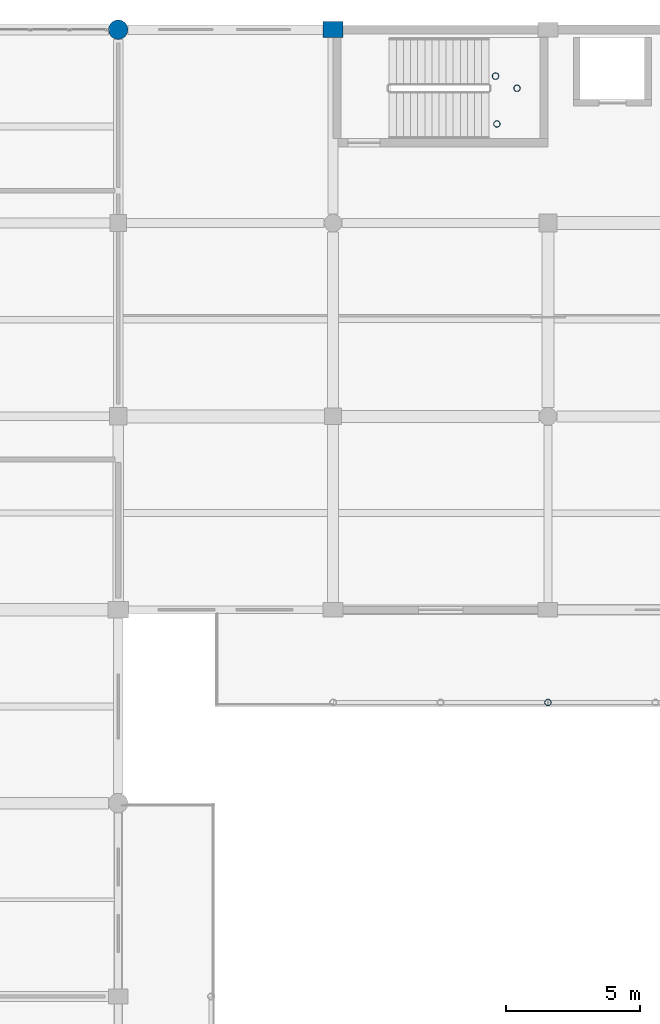
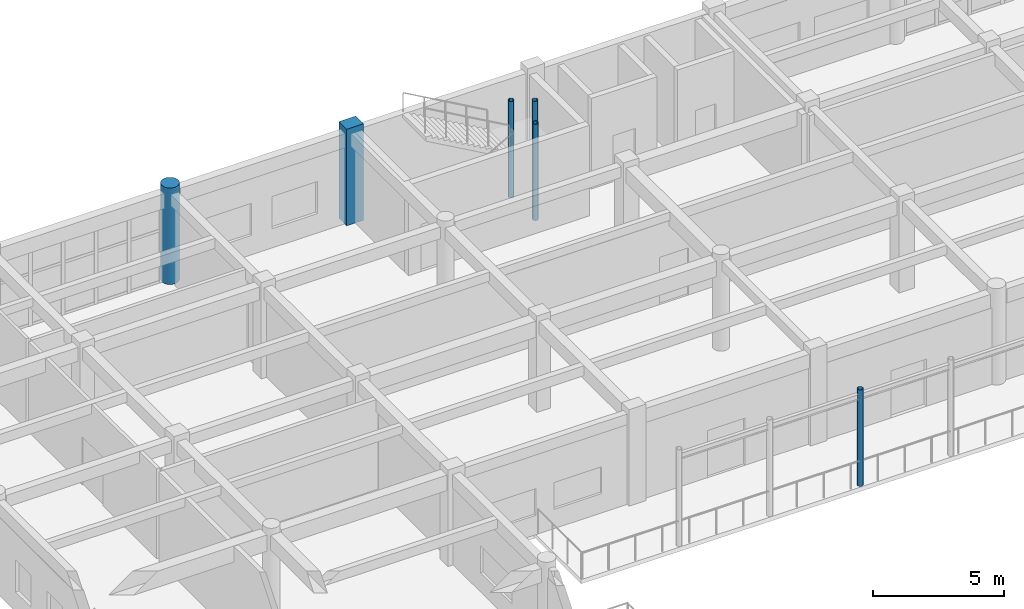
# One storey, part 20 of 160: 6 columns.
"""IFC4 building model written with IfcOpenShell, lengths in metres."""

import ifcopenshell
import ifcopenshell.guid

model = None  # the IFC model being written
_history = None  # IfcOwnerHistory: only IFC2X3 demands one
_inside = {}  # id of a spatial element -> (the spatial element, [elements in it])
_under = {}  # id of a project, library or spatial element -> (it, [spatial elements below it])
_declared = {}  # id of a project -> (the project, [libraries it declares])
_typed = {}  # id of a type object -> (the type object, [elements of that type])
_made_of = {}  # id of a material, layer set ... -> (it, [elements and type objects made of it])


def new_model(schema):
    """Start an empty IFC model of exactly this schema.

    Asked for "IFC4X3", IfcOpenShell would pick the latest addendum, in which some entities
    have other attributes; the version numbers below select the first issue.
    IFC2X3 requires an IfcOwnerHistory on every rooted entity: one is made here for all.
    """
    global model, _history
    if schema == "IFC4X3":
        model = ifcopenshell.file(schema_version=(4, 3, 0, 0))
    else:
        model = ifcopenshell.file(schema=schema)
    _inside.clear()
    _under.clear()
    _declared.clear()
    _typed.clear()
    _made_of.clear()
    _history = None
    if model.schema == "IFC2X3":
        org = make("IfcOrganization", Name="unknown")
        user = make(
            "IfcPersonAndOrganization",
            ThePerson=make("IfcPerson", FamilyName="unknown"),
            TheOrganization=org,
        )
        app = make(
            "IfcApplication",
            ApplicationDeveloper=org,
            Version="unknown",
            ApplicationFullName="unknown",
            ApplicationIdentifier="unknown",
        )
        _history = make(
            "IfcOwnerHistory",
            OwningUser=user,
            OwningApplication=app,
            ChangeAction="ADDED",
            CreationDate=0,
        )
    return model


def make(cls, **values):
    """One entity of the class cls with the attributes given. An attribute that is None is left unset."""
    return model.create_entity(
        cls, **{name: value for name, value in values.items() if value is not None}
    )


def rooted(cls, **values):
    """An entity with a GlobalId (a new one), such as an element, a storey or a relation."""
    return make(cls, GlobalId=ifcopenshell.guid.new(), OwnerHistory=_history, **values)


def si_unit(unit_type, name, prefix=None):
    """IfcSIUnit, for example si_unit("LENGTHUNIT", "METRE", prefix="MILLI")."""
    return make("IfcSIUnit", UnitType=unit_type, Prefix=prefix, Name=name)


def assignment(units):
    """IfcUnitAssignment: the units of a project."""
    return None if units is None else make("IfcUnitAssignment", Units=units)


def point(xyz):
    """IfcCartesianPoint."""
    return None if xyz is None else make("IfcCartesianPoint", Coordinates=xyz)


def direction(xyz):
    """IfcDirection."""
    return None if xyz is None else make("IfcDirection", DirectionRatios=xyz)


def frame(location, z_axis=None, x_axis=None):
    """IfcAxis2Placement3D, a coordinate frame: its origin and axes. An axis left out is left unset."""
    return make(
        "IfcAxis2Placement3D",
        Location=point(location),
        Axis=direction(z_axis),
        RefDirection=direction(x_axis),
    )


def frame_2d(location, x_axis=None):
    """IfcAxis2Placement2D, a coordinate frame in the plane: its origin and x axis."""
    return make(
        "IfcAxis2Placement2D", Location=point(location), RefDirection=direction(x_axis)
    )


def origin():
    """The frame at (0, 0, 0) with its axes left unset."""
    return frame((0.0, 0.0, 0.0))


def origin_2d():
    """The frame at (0, 0) in the plane with its x axis left unset."""
    return frame_2d((0.0, 0.0))


def place(relative_to, where):
    """IfcLocalPlacement: puts the frame where relative to a parent placement (None: the world)."""
    return make(
        "IfcLocalPlacement", PlacementRelTo=relative_to, RelativePlacement=where
    )


def context(
    kind, dimensions, precision=None, world=None, true_north=None, identifier=None
):
    """IfcGeometricRepresentationContext, for example the 3D "Model" context."""
    return make(
        "IfcGeometricRepresentationContext",
        ContextIdentifier=identifier,
        ContextType=kind,
        CoordinateSpaceDimension=dimensions,
        Precision=precision,
        WorldCoordinateSystem=world,
        TrueNorth=true_north,
    )


def subcontext(parent, identifier, kind, view, scale=None):
    """IfcGeometricRepresentationSubContext, for example "Body" below "Model"."""
    return make(
        "IfcGeometricRepresentationSubContext",
        ContextIdentifier=identifier,
        ContextType=kind,
        ParentContext=parent,
        TargetScale=scale,
        TargetView=view,
    )


def project(units=None, contexts=None):
    """IfcProject with its units and contexts."""
    return rooted(
        "IfcProject",
        Name="project",
        RepresentationContexts=contexts,
        UnitsInContext=assignment(units),
    )


def spatial(cls, under=None, at=None, **own):
    """A site, building, storey or space (cls), placed at a placement, below another one or the project."""
    s = rooted(cls, ObjectPlacement=at, **own)
    if under is not None:
        _under.setdefault(under.id(), (under, []))[1].append(s)
    return s


def profile(cls, at=None, kind="AREA", **sizes):
    """A parametric profile (cls). Its sizes go by their IFC names, for example OverallWidth=200.0."""
    return make(cls, ProfileType=kind, Position=at, **sizes)


def rectangle(**sizes):
    """IfcRectangleProfileDef."""
    return profile("IfcRectangleProfileDef", **sizes)


def circle(**sizes):
    """IfcCircleProfileDef."""
    return profile("IfcCircleProfileDef", **sizes)


def hollow_circle(**sizes):
    """IfcCircleHollowProfileDef."""
    return profile("IfcCircleHollowProfileDef", **sizes)


def extrude(swept, where, along, depth):
    """IfcExtrudedAreaSolid: the profile swept, set in the frame where, extruded along a direction by depth."""
    return make(
        "IfcExtrudedAreaSolid",
        SweptArea=swept,
        Position=where,
        ExtrudedDirection=direction(along),
        Depth=depth,
    )


def shape(context_of_items, identifier, shape_type, items):
    """IfcShapeRepresentation: the items that make up one representation, for example the "Body"."""
    return make(
        "IfcShapeRepresentation",
        ContextOfItems=context_of_items,
        RepresentationIdentifier=identifier,
        RepresentationType=shape_type,
        Items=items,
    )


def material(Name=None, Category=None):
    """IfcMaterial."""
    return make("IfcMaterial", Name=Name, Category=Category)


def material_profile(
    of_material, cross_section, Name=None, Category=None, Priority=None
):
    """IfcMaterialProfile: a cross section and its material."""
    return make(
        "IfcMaterialProfile",
        Name=Name,
        Material=of_material,
        Profile=cross_section,
        Priority=Priority,
        Category=Category,
    )


def profile_set(profiles, Name=None, composite=None):
    """IfcMaterialProfileSet."""
    return make(
        "IfcMaterialProfileSet",
        Name=Name,
        MaterialProfiles=profiles,
        CompositeProfile=composite,
    )


def made_of(thing, what):
    """Note that an element or type object is made of a material, layer set ...; save() writes the relation."""
    if what is not None:
        _made_of.setdefault(what.id(), (what, []))[1].append(thing)
    return thing


def type_object(cls, material=None, **own):
    """A type object (cls), such as IfcWallType, which elements share."""
    return made_of(rooted(cls, **own), material)


def element(
    cls,
    number,
    at=None,
    inside=None,
    cuts=None,
    type_object=None,
    material=None,
    context=None,
    identifier="Body",
    shape_type=None,
    held_by="IfcProductDefinitionShape",
    body=None,
    shapes=None,
    **own,
):
    """One element of the class cls, such as IfcWall. Its Tag is "e" and its number.

    at: its placement. inside: the storey or other place that contains it. cuts: it is an
    opening in that element (IfcRelVoidsElement). A single representation is given by context,
    identifier, shape_type and body (its items); several are given by shapes. held_by: the class
    of the entity that holds the representations. save() writes the other relations.
    """
    e = rooted(cls, Tag="e%d" % number, ObjectPlacement=at, **own)
    if body is not None:
        shapes = [shape(context, identifier, shape_type, body)]
    if shapes is not None:
        e.Representation = make(held_by, Representations=shapes)
    if inside is not None:
        _inside.setdefault(inside.id(), (inside, []))[1].append(e)
    if cuts is not None:
        rooted(
            "IfcRelVoidsElement", RelatingBuildingElement=cuts, RelatedOpeningElement=e
        )
    if type_object is not None:
        _typed.setdefault(type_object.id(), (type_object, []))[1].append(e)
    return made_of(e, material)


def aggregate(whole, parts):
    """IfcRelAggregates: a whole, such as a stair, and the parts it consists of."""
    return rooted("IfcRelAggregates", RelatingObject=whole, RelatedObjects=parts)


def save(model, path):
    """Write the relations noted so far, then the file.

    IfcRelAggregates (storeys below a building ...), IfcRelContainedInSpatialStructure (elements
    in a storey), IfcRelDefinesByType, IfcRelAssociatesMaterial and IfcRelDeclares: one each for
    every whole, place, type object, material and project.
    """
    for whole, parts in _under.values():
        aggregate(whole, parts)
    for where, things in _inside.values():
        rooted(
            "IfcRelContainedInSpatialStructure",
            RelatedElements=things,
            RelatingStructure=where,
        )
    for kind, things in _typed.values():
        rooted("IfcRelDefinesByType", RelatedObjects=things, RelatingType=kind)
    for what, things in _made_of.values():
        rooted("IfcRelAssociatesMaterial", RelatedObjects=things, RelatingMaterial=what)
    for by, libraries in _declared.values():
        rooted("IfcRelDeclares", RelatingContext=by, RelatedDefinitions=libraries)
    model.write(path)


model = new_model("IFC4")

# Units and contexts
model_context = context("Model", 3, precision=1e-05, world=origin(), true_north=direction((0.0, 1.0)))
body_context = subcontext(model_context, "Body", "Model", "MODEL_VIEW")
ifc_project = project(units=[si_unit("LENGTHUNIT", "METRE"), si_unit("AREAUNIT", "SQUARE_METRE"), si_unit("VOLUMEUNIT", "CUBIC_METRE"), si_unit("PLANEANGLEUNIT", "RADIAN"), si_unit("MASSUNIT", "GRAM", prefix="KILO")], contexts=[model_context])

# Site, building, storey
site_placement = place(None, origin())
site = spatial("IfcSite", under=ifc_project, at=site_placement, CompositionType="ELEMENT")
building_placement = place(site_placement, origin())
building = spatial("IfcBuilding", under=site, at=building_placement, Name="Kharva Crest Polytechnic", CompositionType="ELEMENT")
storey_placement = place(building_placement, frame((0.0, 0.0, 4.5)))
storey = spatial("IfcBuildingStorey", under=building, at=storey_placement, Name="L01", CompositionType="ELEMENT", Elevation=4.5)

# Columns
ifc_material_1 = material(Name="Concrete C40/50", Category="concrete")
ifc_material_profile_1 = material_profile(ifc_material_1, rectangle(XDim=0.75, YDim=0.60009765625, at=origin_2d()), Name="RECT 750 X 600")
ifc_profile_set_1 = profile_set([ifc_material_profile_1], Name="Concrete C40/50")
column_type_1 = type_object("IfcColumnType", Name="COL-EXT-750X600", PredefinedType="COLUMN", material=ifc_profile_set_1)
column_1_placement = place(storey_placement, frame((56.0, 122.0, 0.0), z_axis=(0.0, 0.0, 1.0), x_axis=(1.0, 0.0, 0.0)))
element("IfcColumn", 1, at=column_1_placement, inside=storey, type_object=column_type_1, Name="L01 Column 8/S", PredefinedType="COLUMN", context=body_context, shape_type="SweptSolid", body=[
    extrude(rectangle(XDim=0.75, YDim=0.60009765625, at=origin_2d()), origin(), (0.0, 0.0, 1.0), 4.5),
])
ifc_material_profile_2 = material_profile(ifc_material_1, circle(Radius=0.360107421875, at=origin_2d()), Name="DIA 720")
ifc_profile_set_2 = profile_set([ifc_material_profile_2], Name="Concrete C40/50")
column_type_2 = type_object("IfcColumnType", Name="COL-EXT-DIA720", PredefinedType="COLUMN", material=ifc_profile_set_2)
column_2_placement = place(storey_placement, frame((48.0, 122.0, 0.0), z_axis=(0.0, 0.0, 1.0), x_axis=(1.0, 0.0, 0.0)))
element("IfcColumn", 2, at=column_2_placement, inside=storey, type_object=column_type_2, Name="L01 Column 7/S", PredefinedType="COLUMN", context=body_context, shape_type="SweptSolid", body=[
    extrude(circle(Radius=0.360107421875, at=origin_2d()), origin(), (0.0, 0.0, 1.0), 4.5),
])
ifc_material_2 = material(Name="Steel S355", Category="steel")
ifc_material_profile_3 = material_profile(ifc_material_2, hollow_circle(Radius=0.122314453125, WallThickness=0.010009765625, at=origin_2d()), Name="CHS 244.5X10.0")
ifc_profile_set_3 = profile_set([ifc_material_profile_3], Name="Steel S355")
column_type_3 = type_object("IfcColumnType", Name="COL-STL-CHS244", PredefinedType="COLUMN", material=ifc_profile_set_3)
for number, where, z_axis, x_axis, name in (
    (3, (64.0, 96.949951171875, 0.0), (0.0, 0.0, 1.0), (1.0, 0.0, 0.0), "L01 Colonnade Column VN02"),
    (4, (62.10009765625, 118.489990234375, 0.0), (0.0, 0.0, 1.0), (1.0, 0.0, 0.0), "L01 Stair ST-03 Landing Support Column SW"),
    (5, (62.050048828125, 120.27001953125, 0.0), (0.0, 0.0, 1.0), (1.0, 0.0, 0.0), "L01 Stair ST-03 Landing Support Column NW"),
    (6, (62.85009765625, 119.820068359375, 0.0), (0.0, 0.0, 1.0), (1.0, 0.0, 0.0), "L01 Stair ST-03 Landing Support Column EM"),
):
    element("IfcColumn", number, at=place(storey_placement, frame(where, z_axis=z_axis, x_axis=x_axis)), inside=storey, type_object=column_type_3, Name=name, PredefinedType="COLUMN", context=body_context, shape_type="SweptSolid", body=[
        extrude(hollow_circle(Radius=0.122314453125, WallThickness=0.010009765625, at=origin_2d()), origin(), (0.0, 0.0, 1.0), 4.5),
    ])

save(model, "model.ifc")
